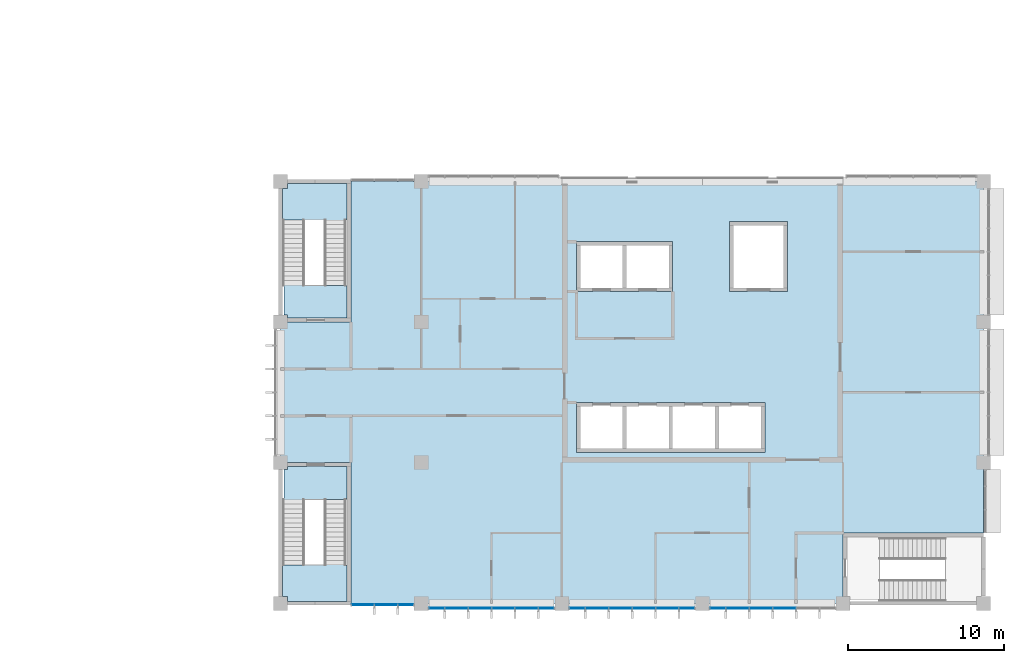
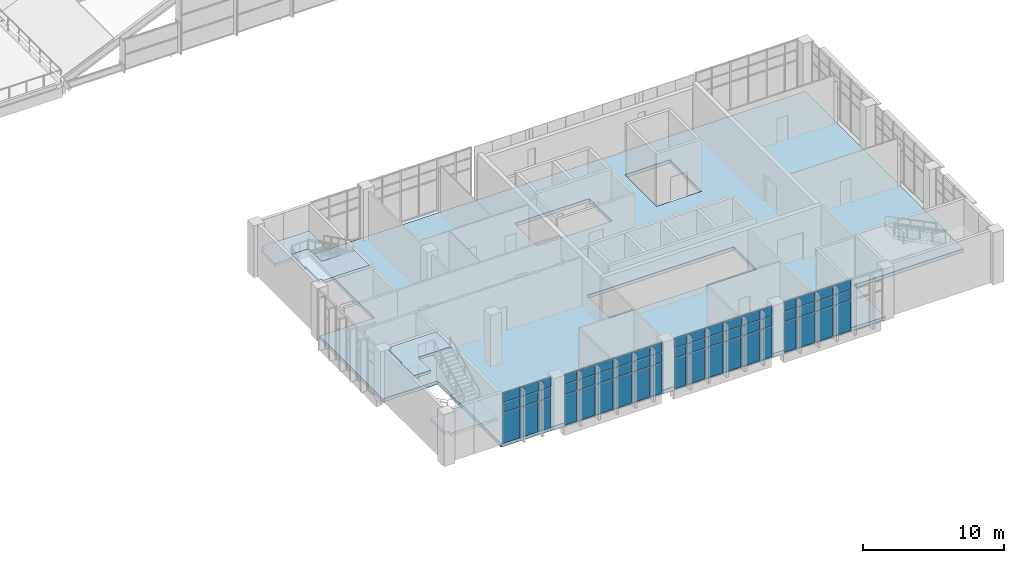
# One storey, part 62 of 106: 57 plates, 5 slabs, 6 elements without a shape of their own.
"""IFC4 building model written with IfcOpenShell, lengths in metres."""

from ifc_helpers import new_model, si_unit, direction, frame, origin, origin_2d, place, context, subcontext, project, spatial, polyline, rectangle, outline, extrude, material, layer, layer_set, type_object, element, aggregate, save


model = new_model("IFC4")

# Units and contexts
model_context = context("Model", 3, precision=1e-05, world=origin(), true_north=direction((0.0, 1.0)))
body_context = subcontext(model_context, "Body", "Model", "MODEL_VIEW")
ifc_project = project(units=[si_unit("LENGTHUNIT", "METRE"), si_unit("AREAUNIT", "SQUARE_METRE"), si_unit("VOLUMEUNIT", "CUBIC_METRE"), si_unit("PLANEANGLEUNIT", "RADIAN"), si_unit("MASSUNIT", "GRAM", prefix="KILO")], contexts=[model_context])

# Site, building, storey
site_placement = place(None, origin())
site = spatial("IfcSite", under=ifc_project, at=site_placement, CompositionType="ELEMENT")
building_placement = place(site_placement, origin())
building = spatial("IfcBuilding", under=site, at=building_placement, Name="Guidao Yard Department Store", CompositionType="ELEMENT")
storey_placement = place(building_placement, frame((0.0, 0.0, 10.5)))
storey = spatial("IfcBuildingStorey", under=building, at=storey_placement, Name="L02", CompositionType="ELEMENT", Elevation=10.5)

# Slab
ifc_material_1 = material(Name="Concrete C35", Category="concrete")
ifc_layer_1 = layer(ifc_material_1, 0.300048828125)
ifc_layer_set_1 = layer_set([ifc_layer_1], Name="Flat slab 300 C35")
slab_type_1 = type_object("IfcSlabType", Name="Flat slab 300 C35", PredefinedType="FLOOR", material=ifc_layer_set_1)
slab_1_placement = place(storey_placement, frame((0.0, 0.0, -0.300048828125)))
element("IfcSlab", 1, at=slab_1_placement, inside=storey, type_object=slab_type_1, Name="Slab L02-O", PredefinedType="FLOOR", context=body_context, shape_type="SweptSolid", body=[
    extrude(outline(polyline([(171.0, 4.5), (162.0, 4.5), (162.0, 0.0), (130.5, 0.0), (130.5, 9.0), (126.0, 9.0), (126.0, 18.0), (130.5, 18.0), (130.5, 27.0), (171.0, 27.0), (171.0, 4.5)]), holes=[polyline([(147.89990234375, 9.64990234375), (148.14990234375, 9.64990234375), (150.85009765625, 9.64990234375), (151.10009765625, 9.64990234375), (153.800048828125, 9.64990234375), (154.050048828125, 9.64990234375), (157.0, 9.64990234375), (157.0, 12.85009765625), (154.050048828125, 12.85009765625), (153.800048828125, 12.85009765625), (151.10009765625, 12.85009765625), (150.85009765625, 12.85009765625), (148.14990234375, 12.85009765625), (147.89990234375, 12.85009765625), (144.949951171875, 12.85009765625), (144.949951171875, 9.64990234375), (147.89990234375, 9.64990234375)]), polyline([(144.949951171875, 19.949951171875), (147.89990234375, 19.949951171875), (148.14990234375, 19.949951171875), (151.10009765625, 19.949951171875), (151.10009765625, 23.14990234375), (148.14990234375, 23.14990234375), (147.89990234375, 23.14990234375), (144.949951171875, 23.14990234375), (144.949951171875, 19.949951171875)]), polyline([(154.75, 19.949951171875), (158.449951171875, 19.949951171875), (158.449951171875, 24.449951171875), (154.75, 24.449951171875), (154.75, 19.949951171875)])]), origin(), (0.0, 0.0, 1.0), 0.300048828125),
])

# Curtain wall, plates
ifc_material_2 = material(Name="Aluminium and glass", Category="aluminium")
ifc_layer_2 = layer(ifc_material_2, 0.159912109375)
ifc_layer_set_2 = layer_set([ifc_layer_2], Name="Unitised curtain wall CW4 1500 module")
curtain_wall_type = type_object("IfcCurtainWallType", Name="Unitised curtain wall CW4 1500 module", PredefinedType="NOTDEFINED", material=ifc_layer_set_2)
curtain_wall_1_placement = place(storey_placement, origin())
curtain_wall_1 = element("IfcCurtainWall", 2, at=curtain_wall_1_placement, inside=storey, type_object=curtain_wall_type, Name="Unitised curtain wall", PredefinedType="NOTDEFINED")
ifc_material_3 = material(Name="Aluminium 6063-T5 faced insulated spandrel", Category="aluminium")
ifc_layer_3 = layer(ifc_material_3, 0.06005859375)
ifc_layer_set_3 = layer_set([ifc_layer_3], Name="Spandrel panel SP1 insulated opaque")
plate_type_1 = type_object("IfcPlateType", Name="Spandrel panel SP1 insulated opaque", PredefinedType="CURTAIN_PANEL", material=ifc_layer_set_3)
plate_1_placement = place(storey_placement, frame((131.264892578125, -0.10009765625, 3.6298828125), z_axis=(0.0, 0.0, 1.0), x_axis=(-1.0, 0.0, 0.0)))
plate_1 = element("IfcPlate", 3, at=plate_1_placement, type_object=plate_type_1, Name="CW-OW-L02-01 panel 1.3", PredefinedType="CURTAIN_PANEL", context=body_context, shape_type="SweptSolid", body=[
    extrude(rectangle(XDim=1.409912109375, YDim=0.06005859375, at=origin_2d()), origin(), (0.0, 0.0, 1.0), 0.81005859375),
])
plate_2_placement = place(storey_placement, frame((132.75, -0.10009765625, 3.6298828125), z_axis=(0.0, 0.0, 1.0), x_axis=(-1.0, 0.0, 0.0)))
plate_2 = element("IfcPlate", 4, at=plate_2_placement, type_object=plate_type_1, Name="CW-OW-L02-01 panel 2.3", PredefinedType="CURTAIN_PANEL", context=body_context, shape_type="SweptSolid", body=[
    extrude(rectangle(XDim=1.43994140625, YDim=0.06005859375, at=origin_2d()), origin(), (0.0, 0.0, 1.0), 0.81005859375),
])
plate_3_placement = place(storey_placement, frame((134.010009765625, -0.10009765625, 3.6298828125), z_axis=(0.0, 0.0, 1.0), x_axis=(-1.0, 0.0, 0.0)))
plate_3 = element("IfcPlate", 5, at=plate_3_placement, type_object=plate_type_1, Name="CW-OW-L02-01 panel 3.3", PredefinedType="CURTAIN_PANEL", context=body_context, shape_type="SweptSolid", body=[
    extrude(rectangle(XDim=0.9599609375, YDim=0.06005859375, at=origin_2d()), origin(), (0.0, 0.0, 1.0), 0.81005859375),
])

curtain_wall_2_placement = place(storey_placement, origin())
curtain_wall_2 = element("IfcCurtainWall", 6, at=curtain_wall_2_placement, inside=storey, type_object=curtain_wall_type, Name="Unitised curtain wall", PredefinedType="NOTDEFINED")
plate_4_placement = place(storey_placement, frame((135.989990234375, -0.330078125, 3.6298828125), z_axis=(0.0, 0.0, 1.0), x_axis=(-1.0, 0.0, 0.0)))
plate_4 = element("IfcPlate", 7, at=plate_4_placement, type_object=plate_type_1, Name="CW-OW-L02-02 panel 1.3", PredefinedType="CURTAIN_PANEL", context=body_context, shape_type="SweptSolid", body=[
    extrude(rectangle(XDim=0.9599609375, YDim=0.06005859375, at=origin_2d()), origin(), (0.0, 0.0, 1.0), 0.81005859375),
])
plate_5_placement = place(storey_placement, frame((137.25, -0.330078125, 3.6298828125), z_axis=(0.0, 0.0, 1.0), x_axis=(-1.0, 0.0, 0.0)))
plate_5 = element("IfcPlate", 8, at=plate_5_placement, type_object=plate_type_1, Name="CW-OW-L02-02 panel 2.3", PredefinedType="CURTAIN_PANEL", context=body_context, shape_type="SweptSolid", body=[
    extrude(rectangle(XDim=1.43994140625, YDim=0.06005859375, at=origin_2d()), origin(), (0.0, 0.0, 1.0), 0.81005859375),
])
plate_6_placement = place(storey_placement, frame((138.75, -0.330078125, 3.6298828125), z_axis=(0.0, 0.0, 1.0), x_axis=(-1.0, 0.0, 0.0)))
plate_6 = element("IfcPlate", 9, at=plate_6_placement, type_object=plate_type_1, Name="CW-OW-L02-02 panel 3.3", PredefinedType="CURTAIN_PANEL", context=body_context, shape_type="SweptSolid", body=[
    extrude(rectangle(XDim=1.43994140625, YDim=0.06005859375, at=origin_2d()), origin(), (0.0, 0.0, 1.0), 0.81005859375),
])
plate_7_placement = place(storey_placement, frame((140.25, -0.330078125, 3.6298828125), z_axis=(0.0, 0.0, 1.0), x_axis=(-1.0, 0.0, 0.0)))
plate_7 = element("IfcPlate", 10, at=plate_7_placement, type_object=plate_type_1, Name="CW-OW-L02-02 panel 4.3", PredefinedType="CURTAIN_PANEL", context=body_context, shape_type="SweptSolid", body=[
    extrude(rectangle(XDim=1.43994140625, YDim=0.06005859375, at=origin_2d()), origin(), (0.0, 0.0, 1.0), 0.81005859375),
])
plate_8_placement = place(storey_placement, frame((141.75, -0.330078125, 3.6298828125), z_axis=(0.0, 0.0, 1.0), x_axis=(-1.0, 0.0, 0.0)))
plate_8 = element("IfcPlate", 11, at=plate_8_placement, type_object=plate_type_1, Name="CW-OW-L02-02 panel 5.3", PredefinedType="CURTAIN_PANEL", context=body_context, shape_type="SweptSolid", body=[
    extrude(rectangle(XDim=1.43994140625, YDim=0.06005859375, at=origin_2d()), origin(), (0.0, 0.0, 1.0), 0.81005859375),
])
plate_9_placement = place(storey_placement, frame((143.010009765625, -0.330078125, 3.6298828125), z_axis=(0.0, 0.0, 1.0), x_axis=(-1.0, 0.0, 0.0)))
plate_9 = element("IfcPlate", 12, at=plate_9_placement, type_object=plate_type_1, Name="CW-OW-L02-02 panel 6.3", PredefinedType="CURTAIN_PANEL", context=body_context, shape_type="SweptSolid", body=[
    extrude(rectangle(XDim=0.9599609375, YDim=0.06005859375, at=origin_2d()), origin(), (0.0, 0.0, 1.0), 0.81005859375),
])

curtain_wall_3_placement = place(storey_placement, origin())
curtain_wall_3 = element("IfcCurtainWall", 13, at=curtain_wall_3_placement, inside=storey, type_object=curtain_wall_type, Name="Unitised curtain wall", PredefinedType="NOTDEFINED")
plate_10_placement = place(storey_placement, frame((144.989990234375, -0.330078125, 3.6298828125), z_axis=(0.0, 0.0, 1.0), x_axis=(-1.0, 0.0, 0.0)))
plate_10 = element("IfcPlate", 14, at=plate_10_placement, type_object=plate_type_1, Name="CW-OW-L02-03 panel 1.3", PredefinedType="CURTAIN_PANEL", context=body_context, shape_type="SweptSolid", body=[
    extrude(rectangle(XDim=0.9599609375, YDim=0.06005859375, at=origin_2d()), origin(), (0.0, 0.0, 1.0), 0.81005859375),
])
plate_11_placement = place(storey_placement, frame((146.25, -0.330078125, 3.6298828125), z_axis=(0.0, 0.0, 1.0), x_axis=(-1.0, 0.0, 0.0)))
plate_11 = element("IfcPlate", 15, at=plate_11_placement, type_object=plate_type_1, Name="CW-OW-L02-03 panel 2.3", PredefinedType="CURTAIN_PANEL", context=body_context, shape_type="SweptSolid", body=[
    extrude(rectangle(XDim=1.43994140625, YDim=0.06005859375, at=origin_2d()), origin(), (0.0, 0.0, 1.0), 0.81005859375),
])
plate_12_placement = place(storey_placement, frame((147.75, -0.330078125, 3.6298828125), z_axis=(0.0, 0.0, 1.0), x_axis=(-1.0, 0.0, 0.0)))
plate_12 = element("IfcPlate", 16, at=plate_12_placement, type_object=plate_type_1, Name="CW-OW-L02-03 panel 3.3", PredefinedType="CURTAIN_PANEL", context=body_context, shape_type="SweptSolid", body=[
    extrude(rectangle(XDim=1.43994140625, YDim=0.06005859375, at=origin_2d()), origin(), (0.0, 0.0, 1.0), 0.81005859375),
])
plate_13_placement = place(storey_placement, frame((149.25, -0.330078125, 3.6298828125), z_axis=(0.0, 0.0, 1.0), x_axis=(-1.0, 0.0, 0.0)))
plate_13 = element("IfcPlate", 17, at=plate_13_placement, type_object=plate_type_1, Name="CW-OW-L02-03 panel 4.3", PredefinedType="CURTAIN_PANEL", context=body_context, shape_type="SweptSolid", body=[
    extrude(rectangle(XDim=1.43994140625, YDim=0.06005859375, at=origin_2d()), origin(), (0.0, 0.0, 1.0), 0.81005859375),
])
plate_14_placement = place(storey_placement, frame((150.75, -0.330078125, 3.6298828125), z_axis=(0.0, 0.0, 1.0), x_axis=(-1.0, 0.0, 0.0)))
plate_14 = element("IfcPlate", 18, at=plate_14_placement, type_object=plate_type_1, Name="CW-OW-L02-03 panel 5.3", PredefinedType="CURTAIN_PANEL", context=body_context, shape_type="SweptSolid", body=[
    extrude(rectangle(XDim=1.43994140625, YDim=0.06005859375, at=origin_2d()), origin(), (0.0, 0.0, 1.0), 0.81005859375),
])
plate_15_placement = place(storey_placement, frame((152.010009765625, -0.330078125, 3.6298828125), z_axis=(0.0, 0.0, 1.0), x_axis=(-1.0, 0.0, 0.0)))
plate_15 = element("IfcPlate", 19, at=plate_15_placement, type_object=plate_type_1, Name="CW-OW-L02-03 panel 6.3", PredefinedType="CURTAIN_PANEL", context=body_context, shape_type="SweptSolid", body=[
    extrude(rectangle(XDim=0.9599609375, YDim=0.06005859375, at=origin_2d()), origin(), (0.0, 0.0, 1.0), 0.81005859375),
])

curtain_wall_4_placement = place(storey_placement, origin())
curtain_wall_4 = element("IfcCurtainWall", 20, at=curtain_wall_4_placement, inside=storey, type_object=curtain_wall_type, Name="Unitised curtain wall", PredefinedType="NOTDEFINED")
plate_16_placement = place(storey_placement, frame((153.989990234375, -0.330078125, 3.6298828125), z_axis=(0.0, 0.0, 1.0), x_axis=(-1.0, 0.0, 0.0)))
plate_16 = element("IfcPlate", 21, at=plate_16_placement, type_object=plate_type_1, Name="CW-OW-L02-04 panel 1.3", PredefinedType="CURTAIN_PANEL", context=body_context, shape_type="SweptSolid", body=[
    extrude(rectangle(XDim=0.9599609375, YDim=0.06005859375, at=origin_2d()), origin(), (0.0, 0.0, 1.0), 0.81005859375),
])
plate_17_placement = place(storey_placement, frame((155.25, -0.330078125, 3.6298828125), z_axis=(0.0, 0.0, 1.0), x_axis=(-1.0, 0.0, 0.0)))
plate_17 = element("IfcPlate", 22, at=plate_17_placement, type_object=plate_type_1, Name="CW-OW-L02-04 panel 2.3", PredefinedType="CURTAIN_PANEL", context=body_context, shape_type="SweptSolid", body=[
    extrude(rectangle(XDim=1.43994140625, YDim=0.06005859375, at=origin_2d()), origin(), (0.0, 0.0, 1.0), 0.81005859375),
])
plate_18_placement = place(storey_placement, frame((156.75, -0.330078125, 3.6298828125), z_axis=(0.0, 0.0, 1.0), x_axis=(-1.0, 0.0, 0.0)))
plate_18 = element("IfcPlate", 23, at=plate_18_placement, type_object=plate_type_1, Name="CW-OW-L02-04 panel 3.3", PredefinedType="CURTAIN_PANEL", context=body_context, shape_type="SweptSolid", body=[
    extrude(rectangle(XDim=1.43994140625, YDim=0.06005859375, at=origin_2d()), origin(), (0.0, 0.0, 1.0), 0.81005859375),
])
plate_19_placement = place(storey_placement, frame((158.25, -0.330078125, 3.6298828125), z_axis=(0.0, 0.0, 1.0), x_axis=(-1.0, 0.0, 0.0)))
plate_19 = element("IfcPlate", 24, at=plate_19_placement, type_object=plate_type_1, Name="CW-OW-L02-04 panel 4.3", PredefinedType="CURTAIN_PANEL", context=body_context, shape_type="SweptSolid", body=[
    extrude(rectangle(XDim=1.43994140625, YDim=0.06005859375, at=origin_2d()), origin(), (0.0, 0.0, 1.0), 0.81005859375),
])

# Stair, slabs
ifc_material_4 = material(Name="Concrete C35", Category="concrete")
stair_type = type_object("IfcStairType", Name="Stair half-turn two-flight 1400 wide 4.5 m rise", PredefinedType="HALF_TURN_STAIR", material=ifc_material_4)
stair_1_placement = place(storey_placement, origin())
stair_1 = element("IfcStair", 25, at=stair_1_placement, inside=storey, type_object=stair_type, Name="Stair O1 L02 to L03", PredefinedType="HALF_TURN_STAIR")
ifc_material_5 = material(Name="Concrete C35", Category="concrete")
ifc_layer_4 = layer(ifc_material_5, 0.25)
ifc_layer_set_4 = layer_set([ifc_layer_4], Name="Stair landing RC 250 C35")
slab_type_2 = type_object("IfcSlabType", Name="Stair landing RC 250 C35", PredefinedType="LANDING", material=ifc_layer_set_4)
slab_2_placement = place(storey_placement, frame((0.0, 0.0, 2.0)))
slab_2 = element("IfcSlab", 26, at=slab_2_placement, type_object=slab_type_2, Name="SO1-L02 landing 1", PredefinedType="LANDING", context=body_context, shape_type="SweptSolid", body=[
    extrude(outline(polyline([(126.449951171875, 0.125), (126.449951171875, 0.449951171875), (126.125, 0.449951171875), (126.125, 2.449951171875), (126.125, 2.4599609375), (127.52490234375, 2.4599609375), (127.52490234375, 2.449951171875), (128.800048828125, 2.449951171875), (128.800048828125, 4.280029296875), (130.199951171875, 4.280029296875), (130.199951171875, 2.449951171875), (130.25, 2.449951171875), (130.25, 0.125), (126.449951171875, 0.125)])), origin(), (0.0, 0.0, 1.0), 0.25),
])
slab_3_placement = place(storey_placement, frame((0.0, 0.0, 4.25)))
slab_3 = element("IfcSlab", 27, at=slab_3_placement, type_object=slab_type_2, Name="SO1-L02 landing 2", PredefinedType="LANDING", context=body_context, shape_type="SweptSolid", body=[
    extrude(outline(polyline([(126.125, 6.64990234375), (126.199951171875, 6.64990234375), (126.199951171875, 8.550048828125), (126.449951171875, 8.550048828125), (126.449951171875, 8.75), (128.800048828125, 8.75), (130.25, 8.75), (130.25, 6.639892578125), (128.800048828125, 6.639892578125), (128.800048828125, 6.64990234375), (127.52490234375, 6.64990234375), (127.52490234375, 4.820068359375), (126.125, 4.820068359375), (126.125, 6.64990234375)])), origin(), (0.0, 0.0, 1.0), 0.25),
])
aggregate(stair_1, [slab_2, slab_3])

stair_2_placement = place(storey_placement, origin())
stair_2 = element("IfcStair", 28, at=stair_2_placement, inside=storey, type_object=stair_type, Name="Stair O3 L02 to L03", PredefinedType="HALF_TURN_STAIR")
slab_4_placement = place(storey_placement, frame((0.0, 0.0, 2.0)))
slab_4 = element("IfcSlab", 29, at=slab_4_placement, type_object=slab_type_2, Name="SO3-L02 landing 1", PredefinedType="LANDING", context=body_context, shape_type="SweptSolid", body=[
    extrude(outline(polyline([(128.800048828125, 24.550048828125), (127.52490234375, 24.550048828125), (127.52490234375, 24.5400390625), (126.125, 24.5400390625), (126.125, 24.550048828125), (126.125, 26.550048828125), (126.449951171875, 26.550048828125), (126.449951171875, 26.875), (130.25, 26.875), (130.25, 24.550048828125), (130.199951171875, 24.550048828125), (130.199951171875, 22.719970703125), (128.800048828125, 22.719970703125), (128.800048828125, 24.550048828125)])), origin(), (0.0, 0.0, 1.0), 0.25),
])
slab_5_placement = place(storey_placement, frame((0.0, 0.0, 4.25)))
slab_5 = element("IfcSlab", 30, at=slab_5_placement, type_object=slab_type_2, Name="SO3-L02 landing 2", PredefinedType="LANDING", context=body_context, shape_type="SweptSolid", body=[
    extrude(outline(polyline([(130.25, 20.360107421875), (130.25, 18.25), (128.800048828125, 18.25), (126.449951171875, 18.25), (126.449951171875, 18.449951171875), (126.199951171875, 18.449951171875), (126.199951171875, 20.35009765625), (126.125, 20.35009765625), (126.125, 22.179931640625), (127.52490234375, 22.179931640625), (127.52490234375, 20.35009765625), (128.800048828125, 20.35009765625), (128.800048828125, 20.360107421875), (130.25, 20.360107421875)])), origin(), (0.0, 0.0, 1.0), 0.25),
])
aggregate(stair_2, [slab_4, slab_5])

# Plate
ifc_material_6 = material(Name="Laminated heat-soaked tempered glass", Category="glass")
ifc_layer_5 = layer(ifc_material_6, 0.017578125)
ifc_layer_set_5 = layer_set([ifc_layer_5], Name="Vision glass VG1 laminated heat-soaked tempered 8+8")
plate_type_2 = type_object("IfcPlateType", Name="Vision glass VG1 laminated heat-soaked tempered 8+8", PredefinedType="CURTAIN_PANEL", material=ifc_layer_set_5)
plate_20_placement = place(storey_placement, frame((131.264892578125, -0.10009765625, 0.06005859375), z_axis=(0.0, 0.0, 1.0), x_axis=(-1.0, 0.0, 0.0)))
plate_20 = element("IfcPlate", 31, at=plate_20_placement, type_object=plate_type_2, Name="CW-OW-L02-01 panel 1.1", PredefinedType="CURTAIN_PANEL", context=body_context, shape_type="SweptSolid", body=[
    extrude(rectangle(XDim=1.409912109375, YDim=0.017578125, at=origin_2d()), origin(), (0.0, 0.0, 1.0), 2.610107421875),
])

plate_21_placement = place(storey_placement, frame((131.264892578125, -0.10009765625, 2.72998046875), z_axis=(0.0, 0.0, 1.0), x_axis=(-1.0, 0.0, 0.0)))
plate_21 = element("IfcPlate", 32, at=plate_21_placement, type_object=plate_type_2, Name="CW-OW-L02-01 panel 1.2", PredefinedType="CURTAIN_PANEL", context=body_context, shape_type="SweptSolid", body=[
    extrude(rectangle(XDim=1.409912109375, YDim=0.017578125, at=origin_2d()), origin(), (0.0, 0.0, 1.0), 0.840087890625),
])

plate_22_placement = place(storey_placement, frame((132.75, -0.10009765625, 0.06005859375), z_axis=(0.0, 0.0, 1.0), x_axis=(-1.0, 0.0, 0.0)))
plate_22 = element("IfcPlate", 33, at=plate_22_placement, type_object=plate_type_2, Name="CW-OW-L02-01 panel 2.1", PredefinedType="CURTAIN_PANEL", context=body_context, shape_type="SweptSolid", body=[
    extrude(rectangle(XDim=1.43994140625, YDim=0.017578125, at=origin_2d()), origin(), (0.0, 0.0, 1.0), 2.610107421875),
])

plate_23_placement = place(storey_placement, frame((132.75, -0.10009765625, 2.72998046875), z_axis=(0.0, 0.0, 1.0), x_axis=(-1.0, 0.0, 0.0)))
plate_23 = element("IfcPlate", 34, at=plate_23_placement, type_object=plate_type_2, Name="CW-OW-L02-01 panel 2.2", PredefinedType="CURTAIN_PANEL", context=body_context, shape_type="SweptSolid", body=[
    extrude(rectangle(XDim=1.43994140625, YDim=0.017578125, at=origin_2d()), origin(), (0.0, 0.0, 1.0), 0.840087890625),
])

plate_24_placement = place(storey_placement, frame((134.010009765625, -0.10009765625, 0.06005859375), z_axis=(0.0, 0.0, 1.0), x_axis=(-1.0, 0.0, 0.0)))
plate_24 = element("IfcPlate", 35, at=plate_24_placement, type_object=plate_type_2, Name="CW-OW-L02-01 panel 3.1", PredefinedType="CURTAIN_PANEL", context=body_context, shape_type="SweptSolid", body=[
    extrude(rectangle(XDim=0.9599609375, YDim=0.017578125, at=origin_2d()), origin(), (0.0, 0.0, 1.0), 2.610107421875),
])

plate_25_placement = place(storey_placement, frame((134.010009765625, -0.10009765625, 2.72998046875), z_axis=(0.0, 0.0, 1.0), x_axis=(-1.0, 0.0, 0.0)))
plate_25 = element("IfcPlate", 36, at=plate_25_placement, type_object=plate_type_2, Name="CW-OW-L02-01 panel 3.2", PredefinedType="CURTAIN_PANEL", context=body_context, shape_type="SweptSolid", body=[
    extrude(rectangle(XDim=0.9599609375, YDim=0.017578125, at=origin_2d()), origin(), (0.0, 0.0, 1.0), 0.840087890625),
])

aggregate(curtain_wall_1, [plate_20, plate_21, plate_1, plate_22, plate_23, plate_2, plate_24, plate_25, plate_3])

plate_26_placement = place(storey_placement, frame((135.989990234375, -0.330078125, 0.06005859375), z_axis=(0.0, 0.0, 1.0), x_axis=(-1.0, 0.0, 0.0)))
plate_26 = element("IfcPlate", 37, at=plate_26_placement, type_object=plate_type_2, Name="CW-OW-L02-02 panel 1.1", PredefinedType="CURTAIN_PANEL", context=body_context, shape_type="SweptSolid", body=[
    extrude(rectangle(XDim=0.9599609375, YDim=0.017578125, at=origin_2d()), origin(), (0.0, 0.0, 1.0), 2.610107421875),
])

plate_27_placement = place(storey_placement, frame((135.989990234375, -0.330078125, 2.72998046875), z_axis=(0.0, 0.0, 1.0), x_axis=(-1.0, 0.0, 0.0)))
plate_27 = element("IfcPlate", 38, at=plate_27_placement, type_object=plate_type_2, Name="CW-OW-L02-02 panel 1.2", PredefinedType="CURTAIN_PANEL", context=body_context, shape_type="SweptSolid", body=[
    extrude(rectangle(XDim=0.9599609375, YDim=0.017578125, at=origin_2d()), origin(), (0.0, 0.0, 1.0), 0.840087890625),
])

plate_28_placement = place(storey_placement, frame((137.25, -0.330078125, 0.06005859375), z_axis=(0.0, 0.0, 1.0), x_axis=(-1.0, 0.0, 0.0)))
plate_28 = element("IfcPlate", 39, at=plate_28_placement, type_object=plate_type_2, Name="CW-OW-L02-02 panel 2.1", PredefinedType="CURTAIN_PANEL", context=body_context, shape_type="SweptSolid", body=[
    extrude(rectangle(XDim=1.43994140625, YDim=0.017578125, at=origin_2d()), origin(), (0.0, 0.0, 1.0), 2.610107421875),
])

plate_29_placement = place(storey_placement, frame((137.25, -0.330078125, 2.72998046875), z_axis=(0.0, 0.0, 1.0), x_axis=(-1.0, 0.0, 0.0)))
plate_29 = element("IfcPlate", 40, at=plate_29_placement, type_object=plate_type_2, Name="CW-OW-L02-02 panel 2.2", PredefinedType="CURTAIN_PANEL", context=body_context, shape_type="SweptSolid", body=[
    extrude(rectangle(XDim=1.43994140625, YDim=0.017578125, at=origin_2d()), origin(), (0.0, 0.0, 1.0), 0.840087890625),
])

plate_30_placement = place(storey_placement, frame((138.75, -0.330078125, 0.06005859375), z_axis=(0.0, 0.0, 1.0), x_axis=(-1.0, 0.0, 0.0)))
plate_30 = element("IfcPlate", 41, at=plate_30_placement, type_object=plate_type_2, Name="CW-OW-L02-02 panel 3.1", PredefinedType="CURTAIN_PANEL", context=body_context, shape_type="SweptSolid", body=[
    extrude(rectangle(XDim=1.43994140625, YDim=0.017578125, at=origin_2d()), origin(), (0.0, 0.0, 1.0), 2.610107421875),
])

plate_31_placement = place(storey_placement, frame((138.75, -0.330078125, 2.72998046875), z_axis=(0.0, 0.0, 1.0), x_axis=(-1.0, 0.0, 0.0)))
plate_31 = element("IfcPlate", 42, at=plate_31_placement, type_object=plate_type_2, Name="CW-OW-L02-02 panel 3.2", PredefinedType="CURTAIN_PANEL", context=body_context, shape_type="SweptSolid", body=[
    extrude(rectangle(XDim=1.43994140625, YDim=0.017578125, at=origin_2d()), origin(), (0.0, 0.0, 1.0), 0.840087890625),
])

plate_32_placement = place(storey_placement, frame((140.25, -0.330078125, 0.06005859375), z_axis=(0.0, 0.0, 1.0), x_axis=(-1.0, 0.0, 0.0)))
plate_32 = element("IfcPlate", 43, at=plate_32_placement, type_object=plate_type_2, Name="CW-OW-L02-02 panel 4.1", PredefinedType="CURTAIN_PANEL", context=body_context, shape_type="SweptSolid", body=[
    extrude(rectangle(XDim=1.43994140625, YDim=0.017578125, at=origin_2d()), origin(), (0.0, 0.0, 1.0), 2.610107421875),
])

plate_33_placement = place(storey_placement, frame((140.25, -0.330078125, 2.72998046875), z_axis=(0.0, 0.0, 1.0), x_axis=(-1.0, 0.0, 0.0)))
plate_33 = element("IfcPlate", 44, at=plate_33_placement, type_object=plate_type_2, Name="CW-OW-L02-02 panel 4.2", PredefinedType="CURTAIN_PANEL", context=body_context, shape_type="SweptSolid", body=[
    extrude(rectangle(XDim=1.43994140625, YDim=0.017578125, at=origin_2d()), origin(), (0.0, 0.0, 1.0), 0.840087890625),
])

plate_34_placement = place(storey_placement, frame((141.75, -0.330078125, 0.06005859375), z_axis=(0.0, 0.0, 1.0), x_axis=(-1.0, 0.0, 0.0)))
plate_34 = element("IfcPlate", 45, at=plate_34_placement, type_object=plate_type_2, Name="CW-OW-L02-02 panel 5.1", PredefinedType="CURTAIN_PANEL", context=body_context, shape_type="SweptSolid", body=[
    extrude(rectangle(XDim=1.43994140625, YDim=0.017578125, at=origin_2d()), origin(), (0.0, 0.0, 1.0), 2.610107421875),
])

plate_35_placement = place(storey_placement, frame((141.75, -0.330078125, 2.72998046875), z_axis=(0.0, 0.0, 1.0), x_axis=(-1.0, 0.0, 0.0)))
plate_35 = element("IfcPlate", 46, at=plate_35_placement, type_object=plate_type_2, Name="CW-OW-L02-02 panel 5.2", PredefinedType="CURTAIN_PANEL", context=body_context, shape_type="SweptSolid", body=[
    extrude(rectangle(XDim=1.43994140625, YDim=0.017578125, at=origin_2d()), origin(), (0.0, 0.0, 1.0), 0.840087890625),
])

plate_36_placement = place(storey_placement, frame((143.010009765625, -0.330078125, 0.06005859375), z_axis=(0.0, 0.0, 1.0), x_axis=(-1.0, 0.0, 0.0)))
plate_36 = element("IfcPlate", 47, at=plate_36_placement, type_object=plate_type_2, Name="CW-OW-L02-02 panel 6.1", PredefinedType="CURTAIN_PANEL", context=body_context, shape_type="SweptSolid", body=[
    extrude(rectangle(XDim=0.9599609375, YDim=0.017578125, at=origin_2d()), origin(), (0.0, 0.0, 1.0), 2.610107421875),
])

plate_37_placement = place(storey_placement, frame((143.010009765625, -0.330078125, 2.72998046875), z_axis=(0.0, 0.0, 1.0), x_axis=(-1.0, 0.0, 0.0)))
plate_37 = element("IfcPlate", 48, at=plate_37_placement, type_object=plate_type_2, Name="CW-OW-L02-02 panel 6.2", PredefinedType="CURTAIN_PANEL", context=body_context, shape_type="SweptSolid", body=[
    extrude(rectangle(XDim=0.9599609375, YDim=0.017578125, at=origin_2d()), origin(), (0.0, 0.0, 1.0), 0.840087890625),
])

aggregate(curtain_wall_2, [plate_26, plate_27, plate_4, plate_28, plate_29, plate_5, plate_30, plate_31, plate_6, plate_32, plate_33, plate_7, plate_34, plate_35, plate_8, plate_36, plate_37, plate_9])

plate_38_placement = place(storey_placement, frame((144.989990234375, -0.330078125, 0.06005859375), z_axis=(0.0, 0.0, 1.0), x_axis=(-1.0, 0.0, 0.0)))
plate_38 = element("IfcPlate", 49, at=plate_38_placement, type_object=plate_type_2, Name="CW-OW-L02-03 panel 1.1", PredefinedType="CURTAIN_PANEL", context=body_context, shape_type="SweptSolid", body=[
    extrude(rectangle(XDim=0.9599609375, YDim=0.017578125, at=origin_2d()), origin(), (0.0, 0.0, 1.0), 2.610107421875),
])

plate_39_placement = place(storey_placement, frame((144.989990234375, -0.330078125, 2.72998046875), z_axis=(0.0, 0.0, 1.0), x_axis=(-1.0, 0.0, 0.0)))
plate_39 = element("IfcPlate", 50, at=plate_39_placement, type_object=plate_type_2, Name="CW-OW-L02-03 panel 1.2", PredefinedType="CURTAIN_PANEL", context=body_context, shape_type="SweptSolid", body=[
    extrude(rectangle(XDim=0.9599609375, YDim=0.017578125, at=origin_2d()), origin(), (0.0, 0.0, 1.0), 0.840087890625),
])

plate_40_placement = place(storey_placement, frame((146.25, -0.330078125, 0.06005859375), z_axis=(0.0, 0.0, 1.0), x_axis=(-1.0, 0.0, 0.0)))
plate_40 = element("IfcPlate", 51, at=plate_40_placement, type_object=plate_type_2, Name="CW-OW-L02-03 panel 2.1", PredefinedType="CURTAIN_PANEL", context=body_context, shape_type="SweptSolid", body=[
    extrude(rectangle(XDim=1.43994140625, YDim=0.017578125, at=origin_2d()), origin(), (0.0, 0.0, 1.0), 2.610107421875),
])

plate_41_placement = place(storey_placement, frame((146.25, -0.330078125, 2.72998046875), z_axis=(0.0, 0.0, 1.0), x_axis=(-1.0, 0.0, 0.0)))
plate_41 = element("IfcPlate", 52, at=plate_41_placement, type_object=plate_type_2, Name="CW-OW-L02-03 panel 2.2", PredefinedType="CURTAIN_PANEL", context=body_context, shape_type="SweptSolid", body=[
    extrude(rectangle(XDim=1.43994140625, YDim=0.017578125, at=origin_2d()), origin(), (0.0, 0.0, 1.0), 0.840087890625),
])

plate_42_placement = place(storey_placement, frame((147.75, -0.330078125, 0.06005859375), z_axis=(0.0, 0.0, 1.0), x_axis=(-1.0, 0.0, 0.0)))
plate_42 = element("IfcPlate", 53, at=plate_42_placement, type_object=plate_type_2, Name="CW-OW-L02-03 panel 3.1", PredefinedType="CURTAIN_PANEL", context=body_context, shape_type="SweptSolid", body=[
    extrude(rectangle(XDim=1.43994140625, YDim=0.017578125, at=origin_2d()), origin(), (0.0, 0.0, 1.0), 2.610107421875),
])

plate_43_placement = place(storey_placement, frame((147.75, -0.330078125, 2.72998046875), z_axis=(0.0, 0.0, 1.0), x_axis=(-1.0, 0.0, 0.0)))
plate_43 = element("IfcPlate", 54, at=plate_43_placement, type_object=plate_type_2, Name="CW-OW-L02-03 panel 3.2", PredefinedType="CURTAIN_PANEL", context=body_context, shape_type="SweptSolid", body=[
    extrude(rectangle(XDim=1.43994140625, YDim=0.017578125, at=origin_2d()), origin(), (0.0, 0.0, 1.0), 0.840087890625),
])

plate_44_placement = place(storey_placement, frame((149.25, -0.330078125, 0.06005859375), z_axis=(0.0, 0.0, 1.0), x_axis=(-1.0, 0.0, 0.0)))
plate_44 = element("IfcPlate", 55, at=plate_44_placement, type_object=plate_type_2, Name="CW-OW-L02-03 panel 4.1", PredefinedType="CURTAIN_PANEL", context=body_context, shape_type="SweptSolid", body=[
    extrude(rectangle(XDim=1.43994140625, YDim=0.017578125, at=origin_2d()), origin(), (0.0, 0.0, 1.0), 2.610107421875),
])

plate_45_placement = place(storey_placement, frame((149.25, -0.330078125, 2.72998046875), z_axis=(0.0, 0.0, 1.0), x_axis=(-1.0, 0.0, 0.0)))
plate_45 = element("IfcPlate", 56, at=plate_45_placement, type_object=plate_type_2, Name="CW-OW-L02-03 panel 4.2", PredefinedType="CURTAIN_PANEL", context=body_context, shape_type="SweptSolid", body=[
    extrude(rectangle(XDim=1.43994140625, YDim=0.017578125, at=origin_2d()), origin(), (0.0, 0.0, 1.0), 0.840087890625),
])

plate_46_placement = place(storey_placement, frame((150.75, -0.330078125, 0.06005859375), z_axis=(0.0, 0.0, 1.0), x_axis=(-1.0, 0.0, 0.0)))
plate_46 = element("IfcPlate", 57, at=plate_46_placement, type_object=plate_type_2, Name="CW-OW-L02-03 panel 5.1", PredefinedType="CURTAIN_PANEL", context=body_context, shape_type="SweptSolid", body=[
    extrude(rectangle(XDim=1.43994140625, YDim=0.017578125, at=origin_2d()), origin(), (0.0, 0.0, 1.0), 2.610107421875),
])

plate_47_placement = place(storey_placement, frame((150.75, -0.330078125, 2.72998046875), z_axis=(0.0, 0.0, 1.0), x_axis=(-1.0, 0.0, 0.0)))
plate_47 = element("IfcPlate", 58, at=plate_47_placement, type_object=plate_type_2, Name="CW-OW-L02-03 panel 5.2", PredefinedType="CURTAIN_PANEL", context=body_context, shape_type="SweptSolid", body=[
    extrude(rectangle(XDim=1.43994140625, YDim=0.017578125, at=origin_2d()), origin(), (0.0, 0.0, 1.0), 0.840087890625),
])

plate_48_placement = place(storey_placement, frame((152.010009765625, -0.330078125, 0.06005859375), z_axis=(0.0, 0.0, 1.0), x_axis=(-1.0, 0.0, 0.0)))
plate_48 = element("IfcPlate", 59, at=plate_48_placement, type_object=plate_type_2, Name="CW-OW-L02-03 panel 6.1", PredefinedType="CURTAIN_PANEL", context=body_context, shape_type="SweptSolid", body=[
    extrude(rectangle(XDim=0.9599609375, YDim=0.017578125, at=origin_2d()), origin(), (0.0, 0.0, 1.0), 2.610107421875),
])

plate_49_placement = place(storey_placement, frame((152.010009765625, -0.330078125, 2.72998046875), z_axis=(0.0, 0.0, 1.0), x_axis=(-1.0, 0.0, 0.0)))
plate_49 = element("IfcPlate", 60, at=plate_49_placement, type_object=plate_type_2, Name="CW-OW-L02-03 panel 6.2", PredefinedType="CURTAIN_PANEL", context=body_context, shape_type="SweptSolid", body=[
    extrude(rectangle(XDim=0.9599609375, YDim=0.017578125, at=origin_2d()), origin(), (0.0, 0.0, 1.0), 0.840087890625),
])

aggregate(curtain_wall_3, [plate_38, plate_39, plate_10, plate_40, plate_41, plate_11, plate_42, plate_43, plate_12, plate_44, plate_45, plate_13, plate_46, plate_47, plate_14, plate_48, plate_49, plate_15])

plate_50_placement = place(storey_placement, frame((153.989990234375, -0.330078125, 0.06005859375), z_axis=(0.0, 0.0, 1.0), x_axis=(-1.0, 0.0, 0.0)))
plate_50 = element("IfcPlate", 61, at=plate_50_placement, type_object=plate_type_2, Name="CW-OW-L02-04 panel 1.1", PredefinedType="CURTAIN_PANEL", context=body_context, shape_type="SweptSolid", body=[
    extrude(rectangle(XDim=0.9599609375, YDim=0.017578125, at=origin_2d()), origin(), (0.0, 0.0, 1.0), 2.610107421875),
])

plate_51_placement = place(storey_placement, frame((153.989990234375, -0.330078125, 2.72998046875), z_axis=(0.0, 0.0, 1.0), x_axis=(-1.0, 0.0, 0.0)))
plate_51 = element("IfcPlate", 62, at=plate_51_placement, type_object=plate_type_2, Name="CW-OW-L02-04 panel 1.2", PredefinedType="CURTAIN_PANEL", context=body_context, shape_type="SweptSolid", body=[
    extrude(rectangle(XDim=0.9599609375, YDim=0.017578125, at=origin_2d()), origin(), (0.0, 0.0, 1.0), 0.840087890625),
])

plate_52_placement = place(storey_placement, frame((155.25, -0.330078125, 0.06005859375), z_axis=(0.0, 0.0, 1.0), x_axis=(-1.0, 0.0, 0.0)))
plate_52 = element("IfcPlate", 63, at=plate_52_placement, type_object=plate_type_2, Name="CW-OW-L02-04 panel 2.1", PredefinedType="CURTAIN_PANEL", context=body_context, shape_type="SweptSolid", body=[
    extrude(rectangle(XDim=1.43994140625, YDim=0.017578125, at=origin_2d()), origin(), (0.0, 0.0, 1.0), 2.610107421875),
])

plate_53_placement = place(storey_placement, frame((155.25, -0.330078125, 2.72998046875), z_axis=(0.0, 0.0, 1.0), x_axis=(-1.0, 0.0, 0.0)))
plate_53 = element("IfcPlate", 64, at=plate_53_placement, type_object=plate_type_2, Name="CW-OW-L02-04 panel 2.2", PredefinedType="CURTAIN_PANEL", context=body_context, shape_type="SweptSolid", body=[
    extrude(rectangle(XDim=1.43994140625, YDim=0.017578125, at=origin_2d()), origin(), (0.0, 0.0, 1.0), 0.840087890625),
])

plate_54_placement = place(storey_placement, frame((156.75, -0.330078125, 0.06005859375), z_axis=(0.0, 0.0, 1.0), x_axis=(-1.0, 0.0, 0.0)))
plate_54 = element("IfcPlate", 65, at=plate_54_placement, type_object=plate_type_2, Name="CW-OW-L02-04 panel 3.1", PredefinedType="CURTAIN_PANEL", context=body_context, shape_type="SweptSolid", body=[
    extrude(rectangle(XDim=1.43994140625, YDim=0.017578125, at=origin_2d()), origin(), (0.0, 0.0, 1.0), 2.610107421875),
])

plate_55_placement = place(storey_placement, frame((156.75, -0.330078125, 2.72998046875), z_axis=(0.0, 0.0, 1.0), x_axis=(-1.0, 0.0, 0.0)))
plate_55 = element("IfcPlate", 66, at=plate_55_placement, type_object=plate_type_2, Name="CW-OW-L02-04 panel 3.2", PredefinedType="CURTAIN_PANEL", context=body_context, shape_type="SweptSolid", body=[
    extrude(rectangle(XDim=1.43994140625, YDim=0.017578125, at=origin_2d()), origin(), (0.0, 0.0, 1.0), 0.840087890625),
])

plate_56_placement = place(storey_placement, frame((158.25, -0.330078125, 0.06005859375), z_axis=(0.0, 0.0, 1.0), x_axis=(-1.0, 0.0, 0.0)))
plate_56 = element("IfcPlate", 67, at=plate_56_placement, type_object=plate_type_2, Name="CW-OW-L02-04 panel 4.1", PredefinedType="CURTAIN_PANEL", context=body_context, shape_type="SweptSolid", body=[
    extrude(rectangle(XDim=1.43994140625, YDim=0.017578125, at=origin_2d()), origin(), (0.0, 0.0, 1.0), 2.610107421875),
])

plate_57_placement = place(storey_placement, frame((158.25, -0.330078125, 2.72998046875), z_axis=(0.0, 0.0, 1.0), x_axis=(-1.0, 0.0, 0.0)))
plate_57 = element("IfcPlate", 68, at=plate_57_placement, type_object=plate_type_2, Name="CW-OW-L02-04 panel 4.2", PredefinedType="CURTAIN_PANEL", context=body_context, shape_type="SweptSolid", body=[
    extrude(rectangle(XDim=1.43994140625, YDim=0.017578125, at=origin_2d()), origin(), (0.0, 0.0, 1.0), 0.840087890625),
])

aggregate(curtain_wall_4, [plate_50, plate_51, plate_16, plate_52, plate_53, plate_17, plate_54, plate_55, plate_18, plate_56, plate_57, plate_19])

save(model, "model.ifc")
